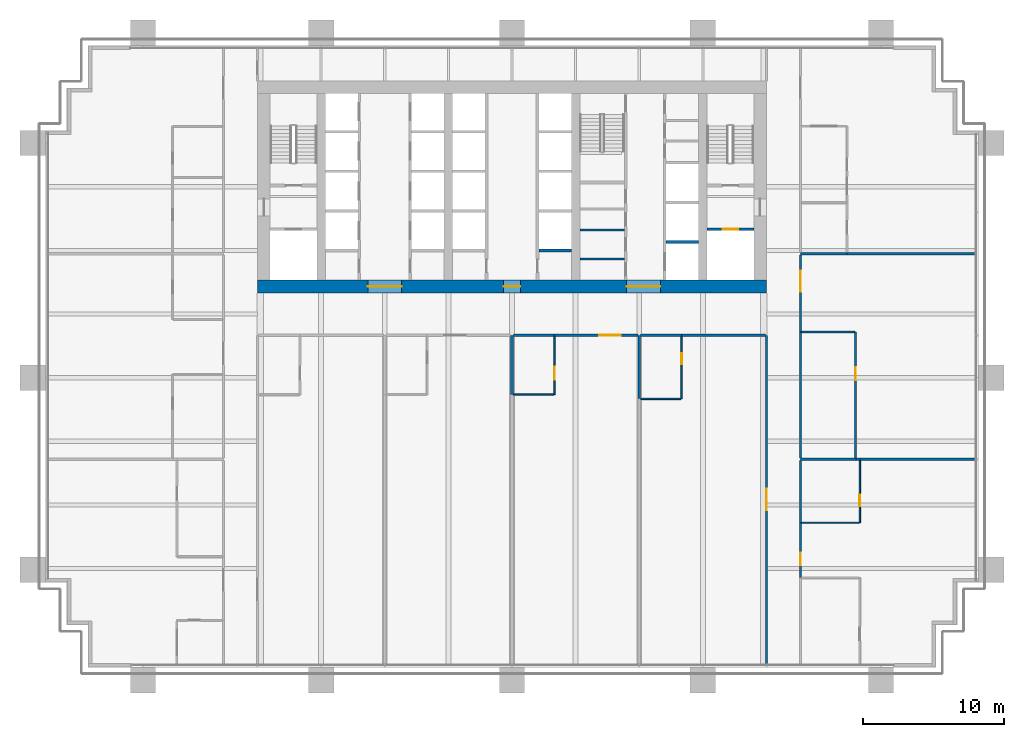
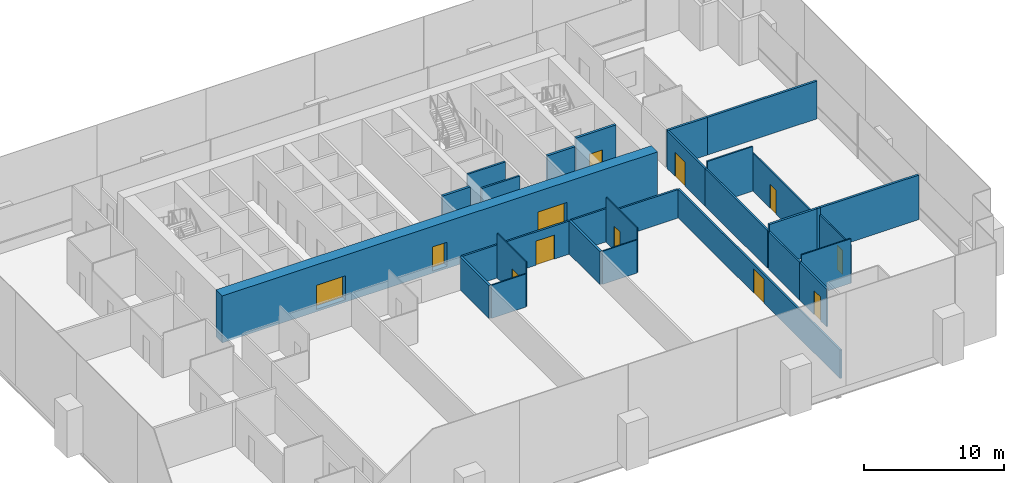
# One storey, part 12 of 18: 30 walls, 12 doors, 12 openings.
"""IFC4 building model written with IfcOpenShell, lengths in metres."""

import ifcopenshell
import ifcopenshell.guid

model = None  # the IFC model being written
_history = None  # IfcOwnerHistory: only IFC2X3 demands one
_inside = {}  # id of a spatial element -> (the spatial element, [elements in it])
_under = {}  # id of a project, library or spatial element -> (it, [spatial elements below it])
_declared = {}  # id of a project -> (the project, [libraries it declares])
_typed = {}  # id of a type object -> (the type object, [elements of that type])
_made_of = {}  # id of a material, layer set ... -> (it, [elements and type objects made of it])


def new_model(schema):
    """Start an empty IFC model of exactly this schema.

    Asked for "IFC4X3", IfcOpenShell would pick the latest addendum, in which some entities
    have other attributes; the version numbers below select the first issue.
    IFC2X3 requires an IfcOwnerHistory on every rooted entity: one is made here for all.
    """
    global model, _history
    if schema == "IFC4X3":
        model = ifcopenshell.file(schema_version=(4, 3, 0, 0))
    else:
        model = ifcopenshell.file(schema=schema)
    _inside.clear()
    _under.clear()
    _declared.clear()
    _typed.clear()
    _made_of.clear()
    _history = None
    if model.schema == "IFC2X3":
        org = make("IfcOrganization", Name="unknown")
        user = make(
            "IfcPersonAndOrganization",
            ThePerson=make("IfcPerson", FamilyName="unknown"),
            TheOrganization=org,
        )
        app = make(
            "IfcApplication",
            ApplicationDeveloper=org,
            Version="unknown",
            ApplicationFullName="unknown",
            ApplicationIdentifier="unknown",
        )
        _history = make(
            "IfcOwnerHistory",
            OwningUser=user,
            OwningApplication=app,
            ChangeAction="ADDED",
            CreationDate=0,
        )
    return model


def make(cls, **values):
    """One entity of the class cls with the attributes given. An attribute that is None is left unset."""
    return model.create_entity(
        cls, **{name: value for name, value in values.items() if value is not None}
    )


def rooted(cls, **values):
    """An entity with a GlobalId (a new one), such as an element, a storey or a relation."""
    return make(cls, GlobalId=ifcopenshell.guid.new(), OwnerHistory=_history, **values)


def si_unit(unit_type, name, prefix=None):
    """IfcSIUnit, for example si_unit("LENGTHUNIT", "METRE", prefix="MILLI")."""
    return make("IfcSIUnit", UnitType=unit_type, Prefix=prefix, Name=name)


def assignment(units):
    """IfcUnitAssignment: the units of a project."""
    return None if units is None else make("IfcUnitAssignment", Units=units)


def point(xyz):
    """IfcCartesianPoint."""
    return None if xyz is None else make("IfcCartesianPoint", Coordinates=xyz)


def direction(xyz):
    """IfcDirection."""
    return None if xyz is None else make("IfcDirection", DirectionRatios=xyz)


def frame(location, z_axis=None, x_axis=None):
    """IfcAxis2Placement3D, a coordinate frame: its origin and axes. An axis left out is left unset."""
    return make(
        "IfcAxis2Placement3D",
        Location=point(location),
        Axis=direction(z_axis),
        RefDirection=direction(x_axis),
    )


def frame_2d(location, x_axis=None):
    """IfcAxis2Placement2D, a coordinate frame in the plane: its origin and x axis."""
    return make(
        "IfcAxis2Placement2D", Location=point(location), RefDirection=direction(x_axis)
    )


def origin():
    """The frame at (0, 0, 0) with its axes left unset."""
    return frame((0.0, 0.0, 0.0))


def place(relative_to, where):
    """IfcLocalPlacement: puts the frame where relative to a parent placement (None: the world)."""
    return make(
        "IfcLocalPlacement", PlacementRelTo=relative_to, RelativePlacement=where
    )


def context(
    kind, dimensions, precision=None, world=None, true_north=None, identifier=None
):
    """IfcGeometricRepresentationContext, for example the 3D "Model" context."""
    return make(
        "IfcGeometricRepresentationContext",
        ContextIdentifier=identifier,
        ContextType=kind,
        CoordinateSpaceDimension=dimensions,
        Precision=precision,
        WorldCoordinateSystem=world,
        TrueNorth=true_north,
    )


def subcontext(parent, identifier, kind, view, scale=None):
    """IfcGeometricRepresentationSubContext, for example "Body" below "Model"."""
    return make(
        "IfcGeometricRepresentationSubContext",
        ContextIdentifier=identifier,
        ContextType=kind,
        ParentContext=parent,
        TargetScale=scale,
        TargetView=view,
    )


def project(units=None, contexts=None):
    """IfcProject with its units and contexts."""
    return rooted(
        "IfcProject",
        Name="project",
        RepresentationContexts=contexts,
        UnitsInContext=assignment(units),
    )


def spatial(cls, under=None, at=None, **own):
    """A site, building, storey or space (cls), placed at a placement, below another one or the project."""
    s = rooted(cls, ObjectPlacement=at, **own)
    if under is not None:
        _under.setdefault(under.id(), (under, []))[1].append(s)
    return s


def profile(cls, at=None, kind="AREA", **sizes):
    """A parametric profile (cls). Its sizes go by their IFC names, for example OverallWidth=200.0."""
    return make(cls, ProfileType=kind, Position=at, **sizes)


def rectangle(**sizes):
    """IfcRectangleProfileDef."""
    return profile("IfcRectangleProfileDef", **sizes)


def extrude(swept, where, along, depth):
    """IfcExtrudedAreaSolid: the profile swept, set in the frame where, extruded along a direction by depth."""
    return make(
        "IfcExtrudedAreaSolid",
        SweptArea=swept,
        Position=where,
        ExtrudedDirection=direction(along),
        Depth=depth,
    )


def shape(context_of_items, identifier, shape_type, items):
    """IfcShapeRepresentation: the items that make up one representation, for example the "Body"."""
    return make(
        "IfcShapeRepresentation",
        ContextOfItems=context_of_items,
        RepresentationIdentifier=identifier,
        RepresentationType=shape_type,
        Items=items,
    )


def material(Name=None, Category=None):
    """IfcMaterial."""
    return make("IfcMaterial", Name=Name, Category=Category)


def layer(
    of_material, thickness, ventilated=None, Name=None, Category=None, Priority=None
):
    """IfcMaterialLayer: one layer of a wall or slab, of a material (None: an air gap)."""
    return make(
        "IfcMaterialLayer",
        Material=of_material,
        LayerThickness=thickness,
        IsVentilated=ventilated,
        Name=Name,
        Category=Category,
        Priority=Priority,
    )


def layer_set(layers, Name=None):
    """IfcMaterialLayerSet."""
    return make("IfcMaterialLayerSet", MaterialLayers=layers, LayerSetName=Name)


def made_of(thing, what):
    """Note that an element or type object is made of a material, layer set ...; save() writes the relation."""
    if what is not None:
        _made_of.setdefault(what.id(), (what, []))[1].append(thing)
    return thing


def type_object(cls, material=None, **own):
    """A type object (cls), such as IfcWallType, which elements share."""
    return made_of(rooted(cls, **own), material)


def element(
    cls,
    number,
    at=None,
    inside=None,
    cuts=None,
    type_object=None,
    material=None,
    context=None,
    identifier="Body",
    shape_type=None,
    held_by="IfcProductDefinitionShape",
    body=None,
    shapes=None,
    **own,
):
    """One element of the class cls, such as IfcWall. Its Tag is "e" and its number.

    at: its placement. inside: the storey or other place that contains it. cuts: it is an
    opening in that element (IfcRelVoidsElement). A single representation is given by context,
    identifier, shape_type and body (its items); several are given by shapes. held_by: the class
    of the entity that holds the representations. save() writes the other relations.
    """
    e = rooted(cls, Tag="e%d" % number, ObjectPlacement=at, **own)
    if body is not None:
        shapes = [shape(context, identifier, shape_type, body)]
    if shapes is not None:
        e.Representation = make(held_by, Representations=shapes)
    if inside is not None:
        _inside.setdefault(inside.id(), (inside, []))[1].append(e)
    if cuts is not None:
        rooted(
            "IfcRelVoidsElement", RelatingBuildingElement=cuts, RelatedOpeningElement=e
        )
    if type_object is not None:
        _typed.setdefault(type_object.id(), (type_object, []))[1].append(e)
    return made_of(e, material)


def fill(opening, filler):
    """IfcRelFillsElement: the door or window that sits in an opening."""
    return rooted(
        "IfcRelFillsElement",
        RelatingOpeningElement=opening,
        RelatedBuildingElement=filler,
    )


def aggregate(whole, parts):
    """IfcRelAggregates: a whole, such as a stair, and the parts it consists of."""
    return rooted("IfcRelAggregates", RelatingObject=whole, RelatedObjects=parts)


def save(model, path):
    """Write the relations noted so far, then the file.

    IfcRelAggregates (storeys below a building ...), IfcRelContainedInSpatialStructure (elements
    in a storey), IfcRelDefinesByType, IfcRelAssociatesMaterial and IfcRelDeclares: one each for
    every whole, place, type object, material and project.
    """
    for whole, parts in _under.values():
        aggregate(whole, parts)
    for where, things in _inside.values():
        rooted(
            "IfcRelContainedInSpatialStructure",
            RelatedElements=things,
            RelatingStructure=where,
        )
    for kind, things in _typed.values():
        rooted("IfcRelDefinesByType", RelatedObjects=things, RelatingType=kind)
    for what, things in _made_of.values():
        rooted("IfcRelAssociatesMaterial", RelatedObjects=things, RelatingMaterial=what)
    for by, libraries in _declared.values():
        rooted("IfcRelDeclares", RelatingContext=by, RelatedDefinitions=libraries)
    model.write(path)


model = new_model("IFC4")

# Units and contexts
model_context = context("Model", 3, precision=1e-05, world=origin(), true_north=direction((0.0, 1.0)))
body_context = subcontext(model_context, "Body", "Model", "MODEL_VIEW")
ifc_project = project(units=[si_unit("LENGTHUNIT", "METRE"), si_unit("AREAUNIT", "SQUARE_METRE"), si_unit("VOLUMEUNIT", "CUBIC_METRE"), si_unit("PLANEANGLEUNIT", "RADIAN"), si_unit("MASSUNIT", "GRAM", prefix="KILO")], contexts=[model_context])

# Site, building, storey
site_placement = place(None, origin())
site = spatial("IfcSite", under=ifc_project, at=site_placement, CompositionType="ELEMENT")
building_placement = place(site_placement, origin())
building = spatial("IfcBuilding", under=site, at=building_placement, Name="Rattan Terrace Tower", CompositionType="ELEMENT")
storey_placement = place(building_placement, frame((0.0, 0.0, 57.0)))
storey = spatial("IfcBuildingStorey", under=building, at=storey_placement, Name="L12", CompositionType="ELEMENT", Elevation=57.0)

# Walls
ifc_material_1 = material(Name="Gypsum board partition")
ifc_layer_1 = layer(ifc_material_1, 0.14990234375)
ifc_layer_set_1 = layer_set([ifc_layer_1], Name="Core partition 150")
wall_type_1 = type_object("IfcWallType", Name="Core partition 150", PredefinedType="PARTITIONING", material=ifc_layer_set_1)
for number, where, z_axis, x_axis, name in (
    (1, (4.800048828125, -5.10400390625, 0.0), (0.0, 0.0, 1.0), (1.0, 0.0, 0.0), "Toilet wall"),
    (2, (4.800048828125, -3.06396484375, 0.0), (0.0, 0.0, 1.0), (1.0, 0.0, 0.0), "Toilet wall"),
):
    element("IfcWall", number, at=place(storey_placement, frame(where, z_axis=z_axis, x_axis=x_axis)), inside=storey, type_object=wall_type_1, Name=name, PredefinedType="PARTITIONING", context=body_context, shape_type="SweptSolid", body=[
        extrude(rectangle(XDim=3.14990234375, YDim=0.14990234375, at=frame_2d((1.574951171875, 0.0))), origin(), (0.0, 0.0, 1.0), 3.89990234375),
    ])

# Wall, opening, door
ifc_material_2 = material(Name="Gypsum board partition")
ifc_layer_2 = layer(ifc_material_2, 0.199951171875)
ifc_layer_set_2 = layer_set([ifc_layer_2], Name="Core partition 200")
wall_type_2 = type_object("IfcWallType", Name="Core partition 200", PredefinedType="PARTITIONING", material=ifc_layer_set_2)
wall_1_placement = place(storey_placement, frame((13.800048828125, -3.0, 0.0), z_axis=(0.0, 0.0, 1.0), x_axis=(1.0, 0.0, 0.0)))
wall_1 = element("IfcWall", 3, at=wall_1_placement, inside=storey, type_object=wall_type_2, Name="Fire-fighting lobby wall", PredefinedType="PARTITIONING", context=body_context, shape_type="SweptSolid", body=[
    extrude(rectangle(XDim=3.300048828125, YDim=0.199951171875, at=frame_2d((1.64990234375, 0.0))), origin(), (0.0, 0.0, 1.0), 3.89990234375),
])
opening_1_placement = place(wall_1_placement, frame((1.10009765625, 0.0, 0.0)))
opening_1 = element("IfcOpeningElement", 4, at=opening_1_placement, cuts=wall_1, Name="Opening L12-LD-FF2", PredefinedType="OPENING", context=body_context, shape_type="SweptSolid", body=[
    extrude(rectangle(XDim=1.10009765625, YDim=2.10009765625, at=frame_2d((0.550048828125, 1.050048828125))), frame((0.0, 0.110595703125, 0.0), z_axis=(0.0, -1.0, 0.0), x_axis=(1.0, 0.0, 0.0)), (0.0, 0.0, 1.0), 0.220947265625),
])
ifc_material_3 = material(Name="Brushed stainless landing door panel")
door_type_1 = type_object("IfcDoorType", Name="Core lift landing door 1100", OperationType="DOUBLE_DOOR_SLIDING", PredefinedType="DOOR", material=ifc_material_3)
door_1_placement = place(opening_1_placement, origin())
door_1 = element("IfcDoor", 5, at=door_1_placement, inside=storey, type_object=door_type_1, Name="Door L12-LD-FF2", OperationType="DOUBLE_DOOR_SLIDING", OverallHeight=2.10009765625, OverallWidth=1.10009765625, PredefinedType="DOOR", context=body_context, shape_type="SweptSolid", body=[
    extrude(rectangle(XDim=1.10009765625, YDim=2.10009765625, at=frame_2d((0.550048828125, 1.050048828125))), frame((0.0, 0.02490234375, 0.0), z_axis=(0.0, -1.0, 0.0), x_axis=(1.0, 0.0, 0.0)), (0.0, 0.0, 1.0), 0.050048828125),
])
fill(opening_1, door_1)

# Wall, openings, doors
ifc_material_4 = material(Name="Concrete C70/85", Category="concrete")
ifc_layer_3 = layer(ifc_material_4, 0.89990234375)
ifc_layer_set_3 = layer_set([ifc_layer_3], Name="Core ring wall 900 C70/85")
wall_type_3 = type_object("IfcWallType", Name="Core ring wall 900 C70/85", PredefinedType="SHEAR", material=ifc_layer_set_3)
wall_2_placement = place(storey_placement, frame((-18.0, -7.050048828125, -0.199951171875), z_axis=(0.0, 0.0, 1.0), x_axis=(1.0, 0.0, 0.0)))
wall_2 = element("IfcWall", 6, at=wall_2_placement, inside=storey, type_object=wall_type_3, Name="Rear core wall south", PredefinedType="SHEAR", context=body_context, shape_type="SweptSolid", body=[
    extrude(rectangle(XDim=36.0, YDim=0.89990234375, at=frame_2d((18.0, 0.0))), origin(), (0.0, 0.0, 1.0), 4.099853515625),
])
opening_2_placement = place(wall_2_placement, frame((7.800048828125, 0.0, 0.199951171875)))
opening_2 = element("IfcOpeningElement", 7, at=opening_2_placement, cuts=wall_2, Name="Opening L12-D007", PredefinedType="OPENING", context=body_context, shape_type="SweptSolid", body=[
    extrude(rectangle(XDim=2.39990234375, YDim=2.10009765625, at=frame_2d((1.199951171875, 1.050048828125))), frame((0.0, 0.46044921875, 0.0), z_axis=(0.0, -1.0, 0.0), x_axis=(1.0, 0.0, 0.0)), (0.0, 0.0, 1.0), 0.9208984375),
])
opening_3_placement = place(wall_2_placement, frame((17.39990234375, 0.0, 0.199951171875)))
opening_3 = element("IfcOpeningElement", 8, at=opening_3_placement, cuts=wall_2, Name="Opening L12-D010", PredefinedType="OPENING", context=body_context, shape_type="SweptSolid", body=[
    extrude(rectangle(XDim=1.199951171875, YDim=2.10009765625, at=frame_2d((0.60009765625, 1.050048828125))), frame((0.0, 0.46044921875, 0.0), z_axis=(0.0, -1.0, 0.0), x_axis=(1.0, 0.0, 0.0)), (0.0, 0.0, 1.0), 0.9208984375),
])
opening_4_placement = place(wall_2_placement, frame((26.10009765625, 0.0, 0.199951171875)))
opening_4 = element("IfcOpeningElement", 9, at=opening_4_placement, cuts=wall_2, Name="Opening L12-D016", PredefinedType="OPENING", context=body_context, shape_type="SweptSolid", body=[
    extrude(rectangle(XDim=2.39990234375, YDim=2.10009765625, at=frame_2d((1.199951171875, 1.050048828125))), frame((0.0, 0.46044921875, 0.0), z_axis=(0.0, -1.0, 0.0), x_axis=(1.0, 0.0, 0.0)), (0.0, 0.0, 1.0), 0.9208984375),
])
ifc_material_5 = material(Name="Hollow-metal fire door leaf")
door_type_2 = type_object("IfcDoorType", Name="Core lift lobby door 2400", OperationType="NOTDEFINED", PredefinedType="DOOR", material=ifc_material_5)
door_2_placement = place(opening_2_placement, origin())
door_2 = element("IfcDoor", 10, at=door_2_placement, inside=storey, type_object=door_type_2, Name="Door L12-D007", OperationType="DOUBLE_DOOR_DOUBLE_SWING", OverallHeight=2.10009765625, OverallWidth=2.39990234375, PredefinedType="DOOR", context=body_context, shape_type="SweptSolid", body=[
    extrude(rectangle(XDim=2.39990234375, YDim=2.10009765625, at=frame_2d((1.199951171875, 1.050048828125))), frame((0.0, 0.02490234375, 0.0), z_axis=(0.0, -1.0, 0.0), x_axis=(1.0, 0.0, 0.0)), (0.0, 0.0, 1.0), 0.050048828125),
])
fill(opening_2, door_2)
door_3_placement = place(opening_4_placement, origin())
door_3 = element("IfcDoor", 11, at=door_3_placement, inside=storey, type_object=door_type_2, Name="Door L12-D016", OperationType="DOUBLE_DOOR_DOUBLE_SWING", OverallHeight=2.10009765625, OverallWidth=2.39990234375, PredefinedType="DOOR", context=body_context, shape_type="SweptSolid", body=[
    extrude(rectangle(XDim=2.39990234375, YDim=2.10009765625, at=frame_2d((1.199951171875, 1.050048828125))), frame((0.0, 0.02490234375, 0.0), z_axis=(0.0, -1.0, 0.0), x_axis=(1.0, 0.0, 0.0)), (0.0, 0.0, 1.0), 0.050048828125),
])
fill(opening_4, door_3)
ifc_material_6 = material(Name="Hollow-metal fire door leaf")
door_type_3 = type_object("IfcDoorType", Name="Core riser door 1200", OperationType="NOTDEFINED", PredefinedType="DOOR", material=ifc_material_6)
door_4_placement = place(opening_3_placement, origin())
door_4 = element("IfcDoor", 12, at=door_4_placement, inside=storey, type_object=door_type_3, Name="Door L12-D010", OperationType="SINGLE_SWING_LEFT", OverallHeight=2.10009765625, OverallWidth=1.199951171875, PredefinedType="DOOR", context=body_context, shape_type="SweptSolid", body=[
    extrude(rectangle(XDim=1.199951171875, YDim=2.10009765625, at=frame_2d((0.60009765625, 1.050048828125))), frame((0.0, 0.02490234375, 0.0), z_axis=(0.0, -1.0, 0.0), x_axis=(1.0, 0.0, 0.0)), (0.0, 0.0, 1.0), 0.050048828125),
])
fill(opening_3, door_4)

# Walls
ifc_material_7 = material(Name="Double steel stud acoustic partition, gypsum board, mineral wool, fire rated", Category="steel")
ifc_layer_4 = layer(ifc_material_7, 0.179931640625)
ifc_layer_set_4 = layer_set([ifc_layer_4], Name="Floors Acoustic Party Wall 180")
wall_type_4 = type_object("IfcWallType", Name="Floors Acoustic Party Wall 180", PredefinedType="PARTITIONING", material=ifc_layer_set_4)
wall_3_placement = place(storey_placement, frame((24.60009765625, -19.27294921875, 0.0), z_axis=(0.0, 0.0, 1.0), x_axis=(1.0, 0.0, 0.0)))
element("IfcWall", 13, at=wall_3_placement, inside=storey, type_object=wall_type_4, Name="pt-L12-052", PredefinedType="PARTITIONING", context=body_context, shape_type="SweptSolid", body=[
    extrude(rectangle(XDim=8.139892578125, YDim=0.179931640625, at=frame_2d((4.06982421875, 0.0))), origin(), (0.0, 0.0, 1.0), 3.89990234375),
])
wall_4_placement = place(storey_placement, frame((24.320068359375, -19.27294921875, 0.0), z_axis=(0.0, 0.0, 1.0), x_axis=(1.0, 0.0, 0.0)))
element("IfcWall", 14, at=wall_4_placement, inside=storey, type_object=wall_type_4, Name="pt-L12-053", PredefinedType="PARTITIONING", context=body_context, shape_type="SweptSolid", body=[
    extrude(rectangle(XDim=0.280029296875, YDim=0.179931640625, at=frame_2d((0.14013671875, 0.0))), origin(), (0.0, 0.0, 1.0), 3.89990234375),
])
wall_5_placement = place(storey_placement, frame((20.39990234375, -19.27294921875, 0.0), z_axis=(0.0, 0.0, 1.0), x_axis=(1.0, 0.0, 0.0)))
element("IfcWall", 15, at=wall_5_placement, inside=storey, type_object=wall_type_4, Name="pt-L12-054", PredefinedType="PARTITIONING", context=body_context, shape_type="SweptSolid", body=[
    extrude(rectangle(XDim=3.920166015625, YDim=0.179931640625, at=frame_2d((1.9599609375, 0.0))), origin(), (0.0, 0.0, 1.0), 3.89990234375),
])
wall_6_placement = place(storey_placement, frame((23.679931640625, -4.72705078125, 0.0), z_axis=(0.0, 0.0, 1.0), x_axis=(1.0, 0.0, 0.0)))
element("IfcWall", 16, at=wall_6_placement, inside=storey, type_object=wall_type_4, Name="pt-L12-057", PredefinedType="PARTITIONING", context=body_context, shape_type="SweptSolid", body=[
    extrude(rectangle(XDim=9.06005859375, YDim=0.179931640625, at=frame_2d((4.530029296875, 0.0))), origin(), (0.0, 0.0, 1.0), 3.300048828125),
])
wall_7_placement = place(storey_placement, frame((20.39990234375, -4.72705078125, 0.0), z_axis=(0.0, 0.0, 1.0), x_axis=(1.0, 0.0, 0.0)))
element("IfcWall", 17, at=wall_7_placement, inside=storey, type_object=wall_type_4, Name="pt-L12-058", PredefinedType="PARTITIONING", context=body_context, shape_type="SweptSolid", body=[
    extrude(rectangle(XDim=3.280029296875, YDim=0.179931640625, at=frame_2d((1.64013671875, 0.0))), origin(), (0.0, 0.0, 1.0), 3.300048828125),
])
wall_8_placement = place(storey_placement, frame((0.0, -10.5, 0.0), z_axis=(0.0, 0.0, 1.0), x_axis=(0.0, -1.0, 0.0)))
element("IfcWall", 18, at=wall_8_placement, inside=storey, type_object=wall_type_4, Name="pt-L12-070", PredefinedType="PARTITIONING", context=body_context, shape_type="SweptSolid", body=[
    extrude(rectangle(XDim=4.179931640625, YDim=0.179931640625, at=frame_2d((2.08984375, 0.0))), origin(), (0.0, 0.0, 1.0), 2.89990234375),
])
wall_9_placement = place(storey_placement, frame((9.0, -10.5, 0.0), z_axis=(0.0, 0.0, 1.0), x_axis=(0.0, -1.0, 0.0)))
element("IfcWall", 19, at=wall_9_placement, inside=storey, type_object=wall_type_4, Name="pt-L12-074", PredefinedType="PARTITIONING", context=body_context, shape_type="SweptSolid", body=[
    extrude(rectangle(XDim=4.47998046875, YDim=0.179931640625, at=frame_2d((2.239990234375, 0.0))), origin(), (0.0, 0.0, 1.0), 2.89990234375),
])
ifc_material_8 = material(Name="Gypsum board partition on steel studs", Category="steel")
ifc_layer_5 = layer(ifc_material_8, 0.10009765625)
ifc_layer_set_5 = layer_set([ifc_layer_5], Name="Floors Partition 100")
wall_type_5 = type_object("IfcWallType", Name="Floors Partition 100", PredefinedType="PARTITIONING", material=ifc_layer_set_5)
wall_10_placement = place(storey_placement, frame((20.47509765625, -23.760009765625, 0.0), z_axis=(0.0, 0.0, 1.0), x_axis=(1.0, 0.0, 0.0)))
element("IfcWall", 20, at=wall_10_placement, inside=storey, type_object=wall_type_5, Name="pt-L12-050", PredefinedType="PARTITIONING", context=body_context, shape_type="SweptSolid", body=[
    extrude(rectangle(XDim=4.074951171875, YDim=0.10009765625, at=frame_2d((2.03759765625, 0.0))), origin(), (0.0, 0.0, 1.0), 3.89990234375),
])

# Wall, opening, door
wall_11_placement = place(storey_placement, frame((24.60009765625, -23.760009765625, 0.0), z_axis=(0.0, 0.0, 1.0), x_axis=(0.0, 1.0, 0.0)))
wall_11 = element("IfcWall", 21, at=wall_11_placement, inside=storey, type_object=wall_type_5, Name="pt-L12-051", PredefinedType="PARTITIONING", context=body_context, shape_type="SweptSolid", body=[
    extrude(rectangle(XDim=4.39697265625, YDim=0.10009765625, at=frame_2d((2.198486328125, 0.0))), origin(), (0.0, 0.0, 1.0), 3.300048828125),
])
opening_5_placement = place(wall_11_placement, frame((1.178955078125, 0.0, 0.0)))
opening_5 = element("IfcOpeningElement", 22, at=opening_5_placement, cuts=wall_11, Name="Opening L12-D111", PredefinedType="OPENING", context=body_context, shape_type="SweptSolid", body=[
    extrude(rectangle(XDim=0.800048828125, YDim=2.10009765625, at=frame_2d((0.39990234375, 1.050048828125))), frame((0.0, 0.060546875, 0.0), z_axis=(0.0, -1.0, 0.0), x_axis=(1.0, 0.0, 0.0)), (0.0, 0.0, 1.0), 0.12109375),
])
ifc_material_9 = material(Name="Solid core timber door, painted", Category="wood")
door_type_4 = type_object("IfcDoorType", Name="Floors Store Door 800x2100", OperationType="NOTDEFINED", PredefinedType="DOOR", material=ifc_material_9)
door_5_placement = place(opening_5_placement, origin())
door_5 = element("IfcDoor", 23, at=door_5_placement, inside=storey, type_object=door_type_4, Name="d-L12-111", OperationType="SINGLE_SWING_LEFT", OverallHeight=2.10009765625, OverallWidth=0.800048828125, PredefinedType="DOOR", context=body_context, shape_type="SweptSolid", body=[
    extrude(rectangle(XDim=0.800048828125, YDim=2.10009765625, at=frame_2d((0.39990234375, 1.050048828125))), frame((0.0, 0.02490234375, 0.0), z_axis=(0.0, -1.0, 0.0), x_axis=(1.0, 0.0, 0.0)), (0.0, 0.0, 1.0), 0.050048828125),
])
fill(opening_5, door_5)

# Wall
wall_12_placement = place(storey_placement, frame((0.090087890625, -14.699951171875, 0.0), z_axis=(0.0, 0.0, 1.0), x_axis=(1.0, 0.0, 0.0)))
element("IfcWall", 24, at=wall_12_placement, inside=storey, type_object=wall_type_5, Name="pt-L12-071", PredefinedType="PARTITIONING", context=body_context, shape_type="SweptSolid", body=[
    extrude(rectangle(XDim=2.85986328125, YDim=0.10009765625, at=frame_2d((1.429931640625, 0.0))), origin(), (0.0, 0.0, 1.0), 2.89990234375),
])

# Wall, opening, door
wall_13_placement = place(storey_placement, frame((3.0, -14.699951171875, 0.0), z_axis=(0.0, 0.0, 1.0), x_axis=(0.0, 1.0, 0.0)))
wall_13 = element("IfcWall", 25, at=wall_13_placement, inside=storey, type_object=wall_type_5, Name="pt-L12-072", PredefinedType="PARTITIONING", context=body_context, shape_type="SweptSolid", body=[
    extrude(rectangle(XDim=4.125, YDim=0.10009765625, at=frame_2d((2.0625, 0.0))), origin(), (0.0, 0.0, 1.0), 3.89990234375),
])
opening_6_placement = place(wall_13_placement, frame((1.06689453125, 0.0, 0.0)))
opening_6 = element("IfcOpeningElement", 26, at=opening_6_placement, cuts=wall_13, Name="Opening L12-D123", PredefinedType="OPENING", context=body_context, shape_type="SweptSolid", body=[
    extrude(rectangle(XDim=0.89990234375, YDim=2.10009765625, at=frame_2d((0.449951171875, 1.050048828125))), frame((0.0, 0.060546875, 0.0), z_axis=(0.0, -1.0, 0.0), x_axis=(1.0, 0.0, 0.0)), (0.0, 0.0, 1.0), 0.12109375),
])
ifc_material_10 = material(Name="Solid core timber door, painted", Category="wood")
door_type_5 = type_object("IfcDoorType", Name="Floors Door 900x2100", OperationType="NOTDEFINED", PredefinedType="DOOR", material=ifc_material_10)
door_6_placement = place(opening_6_placement, origin())
door_6 = element("IfcDoor", 27, at=door_6_placement, inside=storey, type_object=door_type_5, Name="d-L12-123", OperationType="SINGLE_SWING_LEFT", OverallHeight=2.10009765625, OverallWidth=0.89990234375, PredefinedType="DOOR", context=body_context, shape_type="SweptSolid", body=[
    extrude(rectangle(XDim=0.89990234375, YDim=2.10009765625, at=frame_2d((0.449951171875, 1.050048828125))), frame((0.0, 0.02490234375, 0.0), z_axis=(0.0, -1.0, 0.0), x_axis=(1.0, 0.0, 0.0)), (0.0, 0.0, 1.0), 0.050048828125),
])
fill(opening_6, door_6)

# Wall
wall_14_placement = place(storey_placement, frame((9.090087890625, -15.0, 0.0), z_axis=(0.0, 0.0, 1.0), x_axis=(1.0, 0.0, 0.0)))
element("IfcWall", 28, at=wall_14_placement, inside=storey, type_object=wall_type_5, Name="pt-L12-075", PredefinedType="PARTITIONING", context=body_context, shape_type="SweptSolid", body=[
    extrude(rectangle(XDim=2.85986328125, YDim=0.10009765625, at=frame_2d((1.429931640625, 0.0))), origin(), (0.0, 0.0, 1.0), 2.89990234375),
])

# Wall, opening, door
wall_15_placement = place(storey_placement, frame((12.0, -15.0, 0.0), z_axis=(0.0, 0.0, 1.0), x_axis=(0.0, 1.0, 0.0)))
wall_15 = element("IfcWall", 29, at=wall_15_placement, inside=storey, type_object=wall_type_5, Name="pt-L12-076", PredefinedType="PARTITIONING", context=body_context, shape_type="SweptSolid", body=[
    extrude(rectangle(XDim=4.425048828125, YDim=0.10009765625, at=frame_2d((2.21240234375, 0.0))), origin(), (0.0, 0.0, 1.0), 3.89990234375),
])
opening_7_placement = place(wall_15_placement, frame((2.43798828125, 0.0, 0.0)))
opening_7 = element("IfcOpeningElement", 30, at=opening_7_placement, cuts=wall_15, Name="Opening L12-D125", PredefinedType="OPENING", context=body_context, shape_type="SweptSolid", body=[
    extrude(rectangle(XDim=0.800048828125, YDim=2.10009765625, at=frame_2d((0.39990234375, 1.050048828125))), frame((0.0, 0.060546875, 0.0), z_axis=(0.0, -1.0, 0.0), x_axis=(1.0, 0.0, 0.0)), (0.0, 0.0, 1.0), 0.12109375),
])
door_7_placement = place(opening_7_placement, origin())
door_7 = element("IfcDoor", 31, at=door_7_placement, inside=storey, type_object=door_type_4, Name="d-L12-125", OperationType="SINGLE_SWING_RIGHT", OverallHeight=2.10009765625, OverallWidth=0.800048828125, PredefinedType="DOOR", context=body_context, shape_type="SweptSolid", body=[
    extrude(rectangle(XDim=0.800048828125, YDim=2.10009765625, at=frame_2d((0.39990234375, 1.050048828125))), frame((0.0, 0.02490234375, 0.0), z_axis=(0.0, -1.0, 0.0), x_axis=(1.0, 0.0, 0.0)), (0.0, 0.0, 1.0), 0.050048828125),
])
fill(opening_7, door_7)

ifc_material_11 = material(Name="Gypsum board partition on steel studs, fire rated", Category="steel")
ifc_layer_6 = layer(ifc_material_11, 0.14990234375)
ifc_layer_set_6 = layer_set([ifc_layer_6], Name="Floors Tenancy Wall 150")
wall_type_6 = type_object("IfcWallType", Name="Floors Tenancy Wall 150", PredefinedType="PARTITIONING", material=ifc_layer_set_6)
wall_16_placement = place(storey_placement, frame((20.39990234375, -23.780029296875, 0.0), z_axis=(0.0, 0.0, 1.0), x_axis=(0.0, -1.0, 0.0)))
wall_16 = element("IfcWall", 32, at=wall_16_placement, inside=storey, type_object=wall_type_6, Name="pt-L12-010", PredefinedType="PARTITIONING", context=body_context, shape_type="SweptSolid", body=[
    extrude(rectangle(XDim=3.85986328125, YDim=0.14990234375, at=frame_2d((1.929931640625, 0.0))), origin(), (0.0, 0.0, 1.0), 3.300048828125),
])
opening_8_placement = place(wall_16_placement, frame((2.094970703125, 0.0, 0.0)))
opening_8 = element("IfcOpeningElement", 33, at=opening_8_placement, cuts=wall_16, Name="Opening L12-D109", PredefinedType="OPENING", context=body_context, shape_type="SweptSolid", body=[
    extrude(rectangle(XDim=0.89990234375, YDim=2.10009765625, at=frame_2d((0.449951171875, 1.050048828125))), frame((0.0, 0.08544921875, 0.0), z_axis=(0.0, -1.0, 0.0), x_axis=(1.0, 0.0, 0.0)), (0.0, 0.0, 1.0), 0.1708984375),
])
ifc_material_12 = material(Name="Steel fire door set", Category="steel")
door_type_6 = type_object("IfcDoorType", Name="Floors Fire Door FD30S 900x2100", OperationType="NOTDEFINED", PredefinedType="DOOR", material=ifc_material_12)
door_8_placement = place(opening_8_placement, origin())
door_8 = element("IfcDoor", 34, at=door_8_placement, inside=storey, type_object=door_type_6, Name="d-L12-109", OperationType="SINGLE_SWING_RIGHT", OverallHeight=2.10009765625, OverallWidth=0.89990234375, PredefinedType="DOOR", context=body_context, shape_type="SweptSolid", body=[
    extrude(rectangle(XDim=0.89990234375, YDim=2.10009765625, at=frame_2d((0.449951171875, 1.050048828125))), frame((0.0, 0.02490234375, 0.0), z_axis=(0.0, -1.0, 0.0), x_axis=(1.0, 0.0, 0.0)), (0.0, 0.0, 1.0), 0.050048828125),
])
fill(opening_8, door_8)

# Wall
wall_17_placement = place(storey_placement, frame((20.39990234375, -19.363037109375, 0.0), z_axis=(0.0, 0.0, 1.0), x_axis=(0.0, -1.0, 0.0)))
element("IfcWall", 35, at=wall_17_placement, inside=storey, type_object=wall_type_6, Name="pt-L12-012", PredefinedType="PARTITIONING", context=body_context, shape_type="SweptSolid", body=[
    extrude(rectangle(XDim=4.4169921875, YDim=0.14990234375, at=frame_2d((2.20849609375, 0.0))), origin(), (0.0, 0.0, 1.0), 3.300048828125),
])

# Wall, opening, door
wall_18_placement = place(storey_placement, frame((20.39990234375, -4.81689453125, 0.0), z_axis=(0.0, 0.0, 1.0), x_axis=(0.0, -1.0, 0.0)))
wall_18 = element("IfcWall", 36, at=wall_18_placement, inside=storey, type_object=wall_type_6, Name="pt-L12-013", PredefinedType="PARTITIONING", context=body_context, shape_type="SweptSolid", body=[
    extrude(rectangle(XDim=5.43603515625, YDim=0.14990234375, at=frame_2d((2.718017578125, 0.0))), origin(), (0.0, 0.0, 1.0), 3.300048828125),
])
opening_9_placement = place(wall_18_placement, frame((1.10888671875, 0.0, 0.0)))
opening_9 = element("IfcOpeningElement", 37, at=opening_9_placement, cuts=wall_18, Name="Opening L12-D112", PredefinedType="OPENING", context=body_context, shape_type="SweptSolid", body=[
    extrude(rectangle(XDim=1.5, YDim=2.10009765625, at=frame_2d((0.75, 1.050048828125))), frame((0.0, 0.08544921875, 0.0), z_axis=(0.0, -1.0, 0.0), x_axis=(1.0, 0.0, 0.0)), (0.0, 0.0, 1.0), 0.1708984375),
])
ifc_material_13 = material(Name="Steel fire door set", Category="steel")
door_type_7 = type_object("IfcDoorType", Name="Floors Unit Door Pair FD30S 1500x2100", OperationType="NOTDEFINED", PredefinedType="DOOR", material=ifc_material_13)
door_9_placement = place(opening_9_placement, origin())
door_9 = element("IfcDoor", 38, at=door_9_placement, inside=storey, type_object=door_type_7, Name="d-L12-112", OperationType="DOUBLE_DOOR_SINGLE_SWING", OverallHeight=2.10009765625, OverallWidth=1.5, PredefinedType="DOOR", context=body_context, shape_type="SweptSolid", body=[
    extrude(rectangle(XDim=1.5, YDim=2.10009765625, at=frame_2d((0.75, 1.050048828125))), frame((0.0, 0.02490234375, 0.0), z_axis=(0.0, -1.0, 0.0), x_axis=(1.0, 0.0, 0.0)), (0.0, 0.0, 1.0), 0.050048828125),
])
fill(opening_9, door_9)

# Wall
wall_19_placement = place(storey_placement, frame((20.39990234375, -10.2529296875, 0.0), z_axis=(0.0, 0.0, 1.0), x_axis=(0.0, -1.0, 0.0)))
element("IfcWall", 39, at=wall_19_placement, inside=storey, type_object=wall_type_6, Name="pt-L12-014", PredefinedType="PARTITIONING", context=body_context, shape_type="SweptSolid", body=[
    extrude(rectangle(XDim=8.93017578125, YDim=0.14990234375, at=frame_2d((4.465087890625, 0.0))), origin(), (0.0, 0.0, 1.0), 3.300048828125),
])

# Wall, opening, door
wall_20_placement = place(storey_placement, frame((8.909912109375, -10.5, 0.0), z_axis=(0.0, 0.0, 1.0), x_axis=(-1.0, 0.0, 0.0)))
wall_20 = element("IfcWall", 40, at=wall_20_placement, inside=storey, type_object=wall_type_6, Name="pt-L12-026", PredefinedType="PARTITIONING", context=body_context, shape_type="SweptSolid", body=[
    extrude(rectangle(XDim=5.929931640625, YDim=0.14990234375, at=frame_2d((2.96484375, 0.0))), origin(), (0.0, 0.0, 1.0), 2.89990234375),
])
opening_10_placement = place(wall_20_placement, frame((1.23193359375, 0.0, 0.0)))
opening_10 = element("IfcOpeningElement", 41, at=opening_10_placement, cuts=wall_20, Name="Opening L12-D122", PredefinedType="OPENING", context=body_context, shape_type="SweptSolid", body=[
    extrude(rectangle(XDim=1.5, YDim=2.10009765625, at=frame_2d((0.75, 1.050048828125))), frame((0.0, 0.08544921875, 0.0), z_axis=(0.0, -1.0, 0.0), x_axis=(1.0, 0.0, 0.0)), (0.0, 0.0, 1.0), 0.1708984375),
])
door_10_placement = place(opening_10_placement, origin())
door_10 = element("IfcDoor", 42, at=door_10_placement, inside=storey, type_object=door_type_7, Name="d-L12-122", OperationType="DOUBLE_DOOR_SINGLE_SWING", OverallHeight=2.10009765625, OverallWidth=1.5, PredefinedType="DOOR", context=body_context, shape_type="SweptSolid", body=[
    extrude(rectangle(XDim=1.5, YDim=2.10009765625, at=frame_2d((0.75, 1.050048828125))), frame((0.0, 0.02490234375, 0.0), z_axis=(0.0, -1.0, 0.0), x_axis=(1.0, 0.0, 0.0)), (0.0, 0.0, 1.0), 0.050048828125),
])
fill(opening_10, door_10)

# Walls
wall_21_placement = place(storey_placement, frame((2.97998046875, -10.5, 0.0), z_axis=(0.0, 0.0, 1.0), x_axis=(-1.0, 0.0, 0.0)))
element("IfcWall", 43, at=wall_21_placement, inside=storey, type_object=wall_type_6, Name="pt-L12-027", PredefinedType="PARTITIONING", context=body_context, shape_type="SweptSolid", body=[
    extrude(rectangle(XDim=2.889892578125, YDim=0.14990234375, at=frame_2d((1.44482421875, 0.0))), origin(), (0.0, 0.0, 1.0), 2.89990234375),
])
wall_22_placement = place(storey_placement, frame((17.925048828125, -10.5, 0.0), z_axis=(0.0, 0.0, 1.0), x_axis=(-1.0, 0.0, 0.0)))
element("IfcWall", 44, at=wall_22_placement, inside=storey, type_object=wall_type_6, Name="pt-L12-028", PredefinedType="PARTITIONING", context=body_context, shape_type="SweptSolid", body=[
    extrude(rectangle(XDim=5.945068359375, YDim=0.14990234375, at=frame_2d((2.97265625, 0.0))), origin(), (0.0, 0.0, 1.0), 2.5),
])

# Wall, opening, door
wall_23_placement = place(storey_placement, frame((18.0, -33.739990234375, 0.0), z_axis=(0.0, 0.0, 1.0), x_axis=(0.0, 1.0, 0.0)))
wall_23 = element("IfcWall", 45, at=wall_23_placement, inside=storey, type_object=wall_type_6, Name="pt-L12-029", PredefinedType="PARTITIONING", context=body_context, shape_type="SweptSolid", body=[
    extrude(rectangle(XDim=23.239990234375, YDim=0.14990234375, at=frame_2d((11.6201171875, 0.0))), origin(), (0.0, 0.0, 1.0), 2.5),
])
opening_11_placement = place(wall_23_placement, frame((10.8701171875, 0.0, 0.0)))
opening_11 = element("IfcOpeningElement", 46, at=opening_11_placement, cuts=wall_23, Name="Opening L12-D124", PredefinedType="OPENING", context=body_context, shape_type="SweptSolid", body=[
    extrude(rectangle(XDim=1.5, YDim=2.10009765625, at=frame_2d((0.75, 1.050048828125))), frame((0.0, 0.08544921875, 0.0), z_axis=(0.0, -1.0, 0.0), x_axis=(1.0, 0.0, 0.0)), (0.0, 0.0, 1.0), 0.1708984375),
])
door_11_placement = place(opening_11_placement, origin())
door_11 = element("IfcDoor", 47, at=door_11_placement, inside=storey, type_object=door_type_7, Name="d-L12-124", OperationType="DOUBLE_DOOR_SINGLE_SWING", OverallHeight=2.10009765625, OverallWidth=1.5, PredefinedType="DOOR", context=body_context, shape_type="SweptSolid", body=[
    extrude(rectangle(XDim=1.5, YDim=2.10009765625, at=frame_2d((0.75, 1.050048828125))), frame((0.0, 0.02490234375, 0.0), z_axis=(0.0, -1.0, 0.0), x_axis=(1.0, 0.0, 0.0)), (0.0, 0.0, 1.0), 0.050048828125),
])
fill(opening_11, door_11)

# Walls
wall_24_placement = place(storey_placement, frame((11.97998046875, -10.5, 0.0), z_axis=(0.0, 0.0, 1.0), x_axis=(-1.0, 0.0, 0.0)))
element("IfcWall", 48, at=wall_24_placement, inside=storey, type_object=wall_type_6, Name="pt-L12-030", PredefinedType="PARTITIONING", context=body_context, shape_type="SweptSolid", body=[
    extrude(rectangle(XDim=2.889892578125, YDim=0.14990234375, at=frame_2d((1.44482421875, 0.0))), origin(), (0.0, 0.0, 1.0), 2.89990234375),
])
ifc_material_14 = material(Name="Moisture resistant gypsum board partition on steel studs with service cavity", Category="steel")
ifc_layer_7 = layer(ifc_material_14, 0.1201171875)
ifc_layer_set_7 = layer_set([ifc_layer_7], Name="Floors Wet Wall 120")
wall_type_7 = type_object("IfcWallType", Name="Floors Wet Wall 120", PredefinedType="PARTITIONING", material=ifc_layer_set_7)
wall_25_placement = place(storey_placement, frame((24.239990234375, -10.27294921875, 0.0), z_axis=(0.0, 0.0, 1.0), x_axis=(-1.0, 0.0, 0.0)))
element("IfcWall", 49, at=wall_25_placement, inside=storey, type_object=wall_type_7, Name="pt-L12-055", PredefinedType="PARTITIONING", context=body_context, shape_type="SweptSolid", body=[
    extrude(rectangle(XDim=3.764892578125, YDim=0.1201171875, at=frame_2d((1.88232421875, 0.0))), origin(), (0.0, 0.0, 1.0), 3.89990234375),
])

# Wall, opening, door
wall_26_placement = place(storey_placement, frame((24.300048828125, -19.18310546875, 0.0), z_axis=(0.0, 0.0, 1.0), x_axis=(0.0, 1.0, 0.0)))
wall_26 = element("IfcWall", 50, at=wall_26_placement, inside=storey, type_object=wall_type_7, Name="pt-L12-056", PredefinedType="PARTITIONING", context=body_context, shape_type="SweptSolid", body=[
    extrude(rectangle(XDim=8.91015625, YDim=0.1201171875, at=frame_2d((4.455078125, 0.0))), origin(), (0.0, 0.0, 1.0), 3.300048828125),
])
opening_12_placement = place(wall_26_placement, frame((5.507080078125, 0.0, 0.0)))
opening_12 = element("IfcOpeningElement", 51, at=opening_12_placement, cuts=wall_26, Name="Opening L12-D113", PredefinedType="OPENING", context=body_context, shape_type="SweptSolid", body=[
    extrude(rectangle(XDim=0.89990234375, YDim=2.10009765625, at=frame_2d((0.449951171875, 1.050048828125))), frame((0.0, 0.070556640625, 0.0), z_axis=(0.0, -1.0, 0.0), x_axis=(1.0, 0.0, 0.0)), (0.0, 0.0, 1.0), 0.14111328125),
])
door_12_placement = place(opening_12_placement, origin())
door_12 = element("IfcDoor", 52, at=door_12_placement, inside=storey, type_object=door_type_5, Name="d-L12-113", OperationType="SINGLE_SWING_RIGHT", OverallHeight=2.10009765625, OverallWidth=0.89990234375, PredefinedType="DOOR", context=body_context, shape_type="SweptSolid", body=[
    extrude(rectangle(XDim=0.89990234375, YDim=2.10009765625, at=frame_2d((0.449951171875, 1.050048828125))), frame((0.0, 0.02490234375, 0.0), z_axis=(0.0, -1.0, 0.0), x_axis=(1.0, 0.0, 0.0)), (0.0, 0.0, 1.0), 0.050048828125),
])
fill(opening_12, door_12)

# Walls
ifc_material_15 = material(Name="Gypsum shaft wall system")
ifc_layer_8 = layer(ifc_material_15, 0.199951171875)
ifc_layer_set_8 = layer_set([ifc_layer_8], Name="Lift shaft wall 200")
wall_type_8 = type_object("IfcWallType", Name="Lift shaft wall 200", PredefinedType="PARTITIONING", material=ifc_layer_set_8)
for number, where, z_axis, x_axis, name in (
    (53, (1.89990234375, -4.5, 0.0), (0.0, 0.0, 1.0), (1.0, 0.0, 0.0), "Lift shaft wall"),
    (54, (10.89990234375, -3.89990234375, 0.0), (0.0, 0.0, 1.0), (1.0, 0.0, 0.0), "Lift shaft wall"),
):
    element("IfcWall", number, at=place(storey_placement, frame(where, z_axis=z_axis, x_axis=x_axis)), inside=storey, type_object=wall_type_8, Name=name, PredefinedType="PARTITIONING", context=body_context, shape_type="SweptSolid", body=[
        extrude(rectangle(XDim=2.300048828125, YDim=0.199951171875, at=frame_2d((1.14990234375, 0.0))), origin(), (0.0, 0.0, 1.0), 3.89990234375),
    ])

save(model, "model.ifc")
